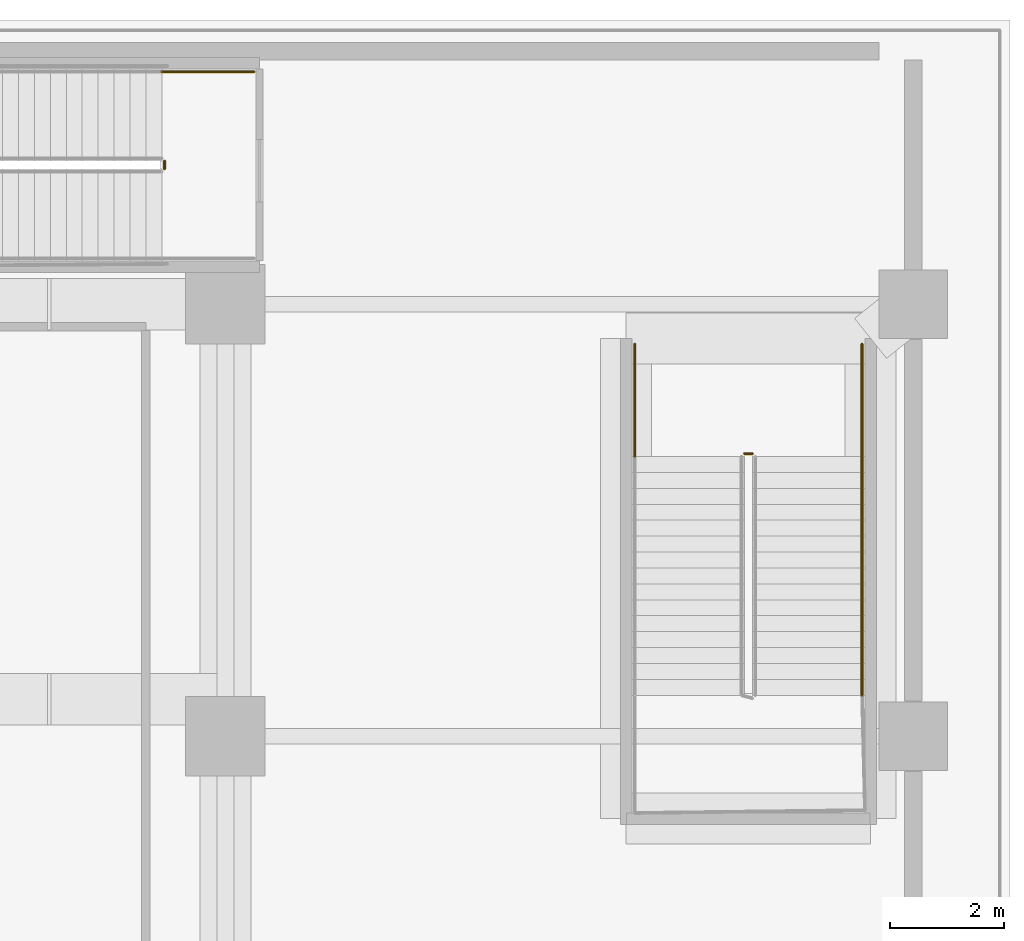
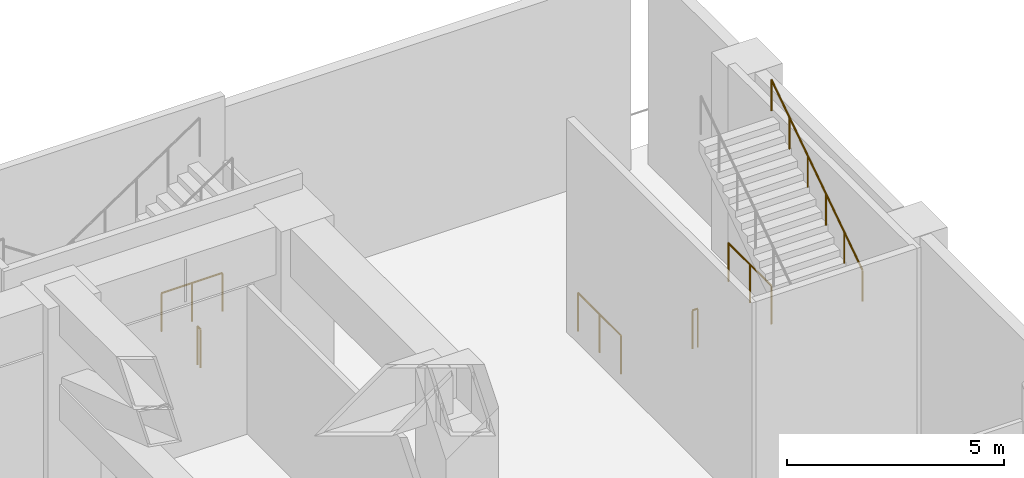
# One storey, part 27 of 27: 6 railings.
"""IFC4 building model written with IfcOpenShell, lengths in metres."""

import ifcopenshell
import ifcopenshell.guid

model = None  # the IFC model being written
_history = None  # IfcOwnerHistory: only IFC2X3 demands one
_inside = {}  # id of a spatial element -> (the spatial element, [elements in it])
_under = {}  # id of a project, library or spatial element -> (it, [spatial elements below it])
_declared = {}  # id of a project -> (the project, [libraries it declares])
_typed = {}  # id of a type object -> (the type object, [elements of that type])
_made_of = {}  # id of a material, layer set ... -> (it, [elements and type objects made of it])


def new_model(schema):
    """Start an empty IFC model of exactly this schema.

    Asked for "IFC4X3", IfcOpenShell would pick the latest addendum, in which some entities
    have other attributes; the version numbers below select the first issue.
    IFC2X3 requires an IfcOwnerHistory on every rooted entity: one is made here for all.
    """
    global model, _history
    if schema == "IFC4X3":
        model = ifcopenshell.file(schema_version=(4, 3, 0, 0))
    else:
        model = ifcopenshell.file(schema=schema)
    _inside.clear()
    _under.clear()
    _declared.clear()
    _typed.clear()
    _made_of.clear()
    _history = None
    if model.schema == "IFC2X3":
        org = make("IfcOrganization", Name="unknown")
        user = make(
            "IfcPersonAndOrganization",
            ThePerson=make("IfcPerson", FamilyName="unknown"),
            TheOrganization=org,
        )
        app = make(
            "IfcApplication",
            ApplicationDeveloper=org,
            Version="unknown",
            ApplicationFullName="unknown",
            ApplicationIdentifier="unknown",
        )
        _history = make(
            "IfcOwnerHistory",
            OwningUser=user,
            OwningApplication=app,
            ChangeAction="ADDED",
            CreationDate=0,
        )
    return model


def make(cls, **values):
    """One entity of the class cls with the attributes given. An attribute that is None is left unset."""
    return model.create_entity(
        cls, **{name: value for name, value in values.items() if value is not None}
    )


def rooted(cls, **values):
    """An entity with a GlobalId (a new one), such as an element, a storey or a relation."""
    return make(cls, GlobalId=ifcopenshell.guid.new(), OwnerHistory=_history, **values)


def si_unit(unit_type, name, prefix=None):
    """IfcSIUnit, for example si_unit("LENGTHUNIT", "METRE", prefix="MILLI")."""
    return make("IfcSIUnit", UnitType=unit_type, Prefix=prefix, Name=name)


def assignment(units):
    """IfcUnitAssignment: the units of a project."""
    return None if units is None else make("IfcUnitAssignment", Units=units)


def point(xyz):
    """IfcCartesianPoint."""
    return None if xyz is None else make("IfcCartesianPoint", Coordinates=xyz)


def direction(xyz):
    """IfcDirection."""
    return None if xyz is None else make("IfcDirection", DirectionRatios=xyz)


def frame(location, z_axis=None, x_axis=None):
    """IfcAxis2Placement3D, a coordinate frame: its origin and axes. An axis left out is left unset."""
    return make(
        "IfcAxis2Placement3D",
        Location=point(location),
        Axis=direction(z_axis),
        RefDirection=direction(x_axis),
    )


def frame_2d(location, x_axis=None):
    """IfcAxis2Placement2D, a coordinate frame in the plane: its origin and x axis."""
    return make(
        "IfcAxis2Placement2D", Location=point(location), RefDirection=direction(x_axis)
    )


def origin():
    """The frame at (0, 0, 0) with its axes left unset."""
    return frame((0.0, 0.0, 0.0))


def origin_2d():
    """The frame at (0, 0) in the plane with its x axis left unset."""
    return frame_2d((0.0, 0.0))


def place(relative_to, where):
    """IfcLocalPlacement: puts the frame where relative to a parent placement (None: the world)."""
    return make(
        "IfcLocalPlacement", PlacementRelTo=relative_to, RelativePlacement=where
    )


def context(
    kind, dimensions, precision=None, world=None, true_north=None, identifier=None
):
    """IfcGeometricRepresentationContext, for example the 3D "Model" context."""
    return make(
        "IfcGeometricRepresentationContext",
        ContextIdentifier=identifier,
        ContextType=kind,
        CoordinateSpaceDimension=dimensions,
        Precision=precision,
        WorldCoordinateSystem=world,
        TrueNorth=true_north,
    )


def subcontext(parent, identifier, kind, view, scale=None):
    """IfcGeometricRepresentationSubContext, for example "Body" below "Model"."""
    return make(
        "IfcGeometricRepresentationSubContext",
        ContextIdentifier=identifier,
        ContextType=kind,
        ParentContext=parent,
        TargetScale=scale,
        TargetView=view,
    )


def project(units=None, contexts=None):
    """IfcProject with its units and contexts."""
    return rooted(
        "IfcProject",
        Name="project",
        RepresentationContexts=contexts,
        UnitsInContext=assignment(units),
    )


def spatial(cls, under=None, at=None, **own):
    """A site, building, storey or space (cls), placed at a placement, below another one or the project."""
    s = rooted(cls, ObjectPlacement=at, **own)
    if under is not None:
        _under.setdefault(under.id(), (under, []))[1].append(s)
    return s


def profile(cls, at=None, kind="AREA", **sizes):
    """A parametric profile (cls). Its sizes go by their IFC names, for example OverallWidth=200.0."""
    return make(cls, ProfileType=kind, Position=at, **sizes)


def circle(**sizes):
    """IfcCircleProfileDef."""
    return profile("IfcCircleProfileDef", **sizes)


def extrude(swept, where, along, depth):
    """IfcExtrudedAreaSolid: the profile swept, set in the frame where, extruded along a direction by depth."""
    return make(
        "IfcExtrudedAreaSolid",
        SweptArea=swept,
        Position=where,
        ExtrudedDirection=direction(along),
        Depth=depth,
    )


def shape(context_of_items, identifier, shape_type, items):
    """IfcShapeRepresentation: the items that make up one representation, for example the "Body"."""
    return make(
        "IfcShapeRepresentation",
        ContextOfItems=context_of_items,
        RepresentationIdentifier=identifier,
        RepresentationType=shape_type,
        Items=items,
    )


def material(Name=None, Category=None):
    """IfcMaterial."""
    return make("IfcMaterial", Name=Name, Category=Category)


def layer(
    of_material, thickness, ventilated=None, Name=None, Category=None, Priority=None
):
    """IfcMaterialLayer: one layer of a wall or slab, of a material (None: an air gap)."""
    return make(
        "IfcMaterialLayer",
        Material=of_material,
        LayerThickness=thickness,
        IsVentilated=ventilated,
        Name=Name,
        Category=Category,
        Priority=Priority,
    )


def layer_set(layers, Name=None):
    """IfcMaterialLayerSet."""
    return make("IfcMaterialLayerSet", MaterialLayers=layers, LayerSetName=Name)


def made_of(thing, what):
    """Note that an element or type object is made of a material, layer set ...; save() writes the relation."""
    if what is not None:
        _made_of.setdefault(what.id(), (what, []))[1].append(thing)
    return thing


def type_object(cls, material=None, **own):
    """A type object (cls), such as IfcWallType, which elements share."""
    return made_of(rooted(cls, **own), material)


def element(
    cls,
    number,
    at=None,
    inside=None,
    cuts=None,
    type_object=None,
    material=None,
    context=None,
    identifier="Body",
    shape_type=None,
    held_by="IfcProductDefinitionShape",
    body=None,
    shapes=None,
    **own,
):
    """One element of the class cls, such as IfcWall. Its Tag is "e" and its number.

    at: its placement. inside: the storey or other place that contains it. cuts: it is an
    opening in that element (IfcRelVoidsElement). A single representation is given by context,
    identifier, shape_type and body (its items); several are given by shapes. held_by: the class
    of the entity that holds the representations. save() writes the other relations.
    """
    e = rooted(cls, Tag="e%d" % number, ObjectPlacement=at, **own)
    if body is not None:
        shapes = [shape(context, identifier, shape_type, body)]
    if shapes is not None:
        e.Representation = make(held_by, Representations=shapes)
    if inside is not None:
        _inside.setdefault(inside.id(), (inside, []))[1].append(e)
    if cuts is not None:
        rooted(
            "IfcRelVoidsElement", RelatingBuildingElement=cuts, RelatedOpeningElement=e
        )
    if type_object is not None:
        _typed.setdefault(type_object.id(), (type_object, []))[1].append(e)
    return made_of(e, material)


def aggregate(whole, parts):
    """IfcRelAggregates: a whole, such as a stair, and the parts it consists of."""
    return rooted("IfcRelAggregates", RelatingObject=whole, RelatedObjects=parts)


def save(model, path):
    """Write the relations noted so far, then the file.

    IfcRelAggregates (storeys below a building ...), IfcRelContainedInSpatialStructure (elements
    in a storey), IfcRelDefinesByType, IfcRelAssociatesMaterial and IfcRelDeclares: one each for
    every whole, place, type object, material and project.
    """
    for whole, parts in _under.values():
        aggregate(whole, parts)
    for where, things in _inside.values():
        rooted(
            "IfcRelContainedInSpatialStructure",
            RelatedElements=things,
            RelatingStructure=where,
        )
    for kind, things in _typed.values():
        rooted("IfcRelDefinesByType", RelatedObjects=things, RelatingType=kind)
    for what, things in _made_of.values():
        rooted("IfcRelAssociatesMaterial", RelatedObjects=things, RelatingMaterial=what)
    for by, libraries in _declared.values():
        rooted("IfcRelDeclares", RelatingContext=by, RelatedDefinitions=libraries)
    model.write(path)


model = new_model("IFC4")

# Units and contexts
model_context = context("Model", 3, precision=1e-05, world=origin(), true_north=direction((0.0, 1.0)))
body_context = subcontext(model_context, "Body", "Model", "MODEL_VIEW")
ifc_project = project(units=[si_unit("LENGTHUNIT", "METRE"), si_unit("AREAUNIT", "SQUARE_METRE"), si_unit("VOLUMEUNIT", "CUBIC_METRE"), si_unit("PLANEANGLEUNIT", "RADIAN"), si_unit("MASSUNIT", "GRAM", prefix="KILO")], contexts=[model_context])

# Site, building, storey
site_placement = place(None, origin())
site = spatial("IfcSite", under=ifc_project, at=site_placement, CompositionType="ELEMENT")
building_placement = place(site_placement, origin())
building = spatial("IfcBuilding", under=site, at=building_placement, Name="Ndaravel Arena Tower", CompositionType="ELEMENT")
storey_placement = place(building_placement, frame((0.0, 0.0, 24.0)))
storey = spatial("IfcBuildingStorey", under=building, at=storey_placement, Name="L04", CompositionType="ELEMENT", Elevation=24.0)

# Railings
ifc_material_1 = material(Name="Steel S355", Category="steel")
ifc_layer_1 = layer(ifc_material_1, 0.06005859375)
ifc_layer_set_1 = layer_set([ifc_layer_1], Name="Steel S355")
railing_type_1 = type_object("IfcRailingType", Name="RAIL-STAIR-GD1100", PredefinedType="GUARDRAIL", material=ifc_layer_set_1)
railing_1_placement = place(storey_placement, frame((69.1298828125, 45.52001953125, 0.0)))
element("IfcRailing", 1, at=railing_1_placement, inside=storey, type_object=railing_type_1, Name="L04 ST-A11 stair guard 4", PredefinedType="GUARDRAIL", context=body_context, shape_type="SweptSolid", body=[
    extrude(circle(Radius=0.02392578125, at=origin_2d()), frame((0.0, 0.0, 1.076171875), z_axis=(0.0, -1.0, 0.0), x_axis=(1.0, 0.0, 0.0)), (0.0, 0.0, 1.0), 0.14013671875),
    extrude(circle(Radius=0.02099609375, at=origin_2d()), origin(), (0.0, 0.0, 1.0), 1.052001953125),
    extrude(circle(Radius=0.02099609375, at=origin_2d()), frame((0.0, -0.14013671875, 0.0)), (0.0, 0.0, 1.0), 1.052001953125),
])
railing_2_placement = place(storey_placement, frame((70.699951171875, 47.090087890625, 0.0)))
element("IfcRailing", 2, at=railing_2_placement, inside=storey, type_object=railing_type_1, Name="L04 ST-A11 stair guard 5", PredefinedType="GUARDRAIL", context=body_context, shape_type="SweptSolid", body=[
    extrude(circle(Radius=0.02392578125, at=origin_2d()), frame((0.0, 0.0, 1.076171875), z_axis=(-1.0, 0.0, 0.0), x_axis=(0.0, -1.0, 0.0)), (0.0, 0.0, 1.0), 1.619873046875),
    extrude(circle(Radius=0.02099609375, at=origin_2d()), origin(), (0.0, 0.0, 1.0), 1.052001953125),
    extrude(circle(Radius=0.02099609375, at=origin_2d()), frame((-0.81005859375, 0.0, 0.0)), (0.0, 0.0, 1.0), 1.052001953125),
    extrude(circle(Radius=0.02099609375, at=origin_2d()), frame((-1.619873046875, 0.0, 0.0)), (0.0, 0.0, 1.0), 1.052001953125),
])
railing_3_placement = place(storey_placement, frame((79.330078125, 40.3701171875, 0.0)))
element("IfcRailing", 3, at=railing_3_placement, inside=storey, type_object=railing_type_1, Name="L04 ST-GDN-2 stair guard 4", PredefinedType="GUARDRAIL", context=body_context, shape_type="SweptSolid", body=[
    extrude(circle(Radius=0.02392578125, at=origin_2d()), frame((0.0, 0.0, 1.076171875), z_axis=(1.0, 0.0, 0.0), x_axis=(0.0, 1.0, 0.0)), (0.0, 0.0, 1.0), 0.139892578125),
    extrude(circle(Radius=0.02099609375, at=origin_2d()), origin(), (0.0, 0.0, 1.0), 1.052001953125),
    extrude(circle(Radius=0.02099609375, at=origin_2d()), frame((0.139892578125, 0.0, 0.0)), (0.0, 0.0, 1.0), 1.052001953125),
])
for number, where, name in (
    (4, (77.39990234375, 42.300048828125, 0.0), "L04 ST-GDN-2 stair guard 5"),
    (5, (81.39990234375, 42.300048828125, 0.0), "L04 ST-GDN-2 stair guard 6"),
):
    element("IfcRailing", number, at=place(storey_placement, frame(where)), inside=storey, type_object=railing_type_1, Name=name, PredefinedType="GUARDRAIL", context=body_context, shape_type="SweptSolid", body=[
        extrude(circle(Radius=0.02392578125, at=origin_2d()), frame((0.0, 0.0, 1.076171875), z_axis=(0.0, -1.0, 0.0), x_axis=(1.0, 0.0, 0.0)), (0.0, 0.0, 1.0), 1.97998046875),
        extrude(circle(Radius=0.02099609375, at=origin_2d()), origin(), (0.0, 0.0, 1.0), 1.052001953125),
        extrude(circle(Radius=0.02099609375, at=origin_2d()), frame((0.0, -0.989990234375, 0.0)), (0.0, 0.0, 1.0), 1.052001953125),
        extrude(circle(Radius=0.02099609375, at=origin_2d()), frame((0.0, -1.97998046875, 0.0)), (0.0, 0.0, 1.0), 1.052001953125),
    ])
ifc_material_2 = material(Name="Steel S355", Category="steel")
ifc_layer_2 = layer(ifc_material_2, 0.050048828125)
ifc_layer_set_2 = layer_set([ifc_layer_2], Name="Steel S355")
railing_type_2 = type_object("IfcRailingType", Name="RAIL-STAIR-HR920", PredefinedType="HANDRAIL", material=ifc_layer_set_2)
railing_4_placement = place(storey_placement, frame((81.39990234375, 36.1201171875, 3.1875)))
element("IfcRailing", 6, at=railing_4_placement, inside=storey, type_object=railing_type_2, Name="L04 ST-GDN-2 stair handrail 2", PredefinedType="HANDRAIL", context=body_context, shape_type="SweptSolid", body=[
    extrude(circle(Radius=0.02392578125, at=origin_2d()), frame((0.0, 0.0, 0.8759765625), z_axis=(0.0, 0.830904186295, 0.556415522067), x_axis=(-1.0, 0.0, 0.0)), (0.0, 0.0, 1.0), 5.0546875),
    extrude(circle(Radius=0.02099609375, at=origin_2d()), origin(), (0.0, 0.0, 1.0), 0.851806640625),
    extrude(circle(Radius=0.02099609375, at=origin_2d()), frame((0.0, 0.840087890625, 0.5625)), (0.0, 0.0, 1.0), 0.851806640625),
    extrude(circle(Radius=0.02099609375, at=origin_2d()), frame((0.0, 1.679931640625, 1.125)), (0.0, 0.0, 1.0), 0.851806640625),
    extrude(circle(Radius=0.02099609375, at=origin_2d()), frame((0.0, 2.52001953125, 1.6875)), (0.0, 0.0, 1.0), 0.851806640625),
    extrude(circle(Radius=0.02099609375, at=origin_2d()), frame((0.0, 3.35986328125, 2.25)), (0.0, 0.0, 1.0), 0.851806640625),
    extrude(circle(Radius=0.02099609375, at=origin_2d()), frame((0.0, 4.199951171875, 2.8125)), (0.0, 0.0, 1.0), 0.851806640625),
])

save(model, "model.ifc")
